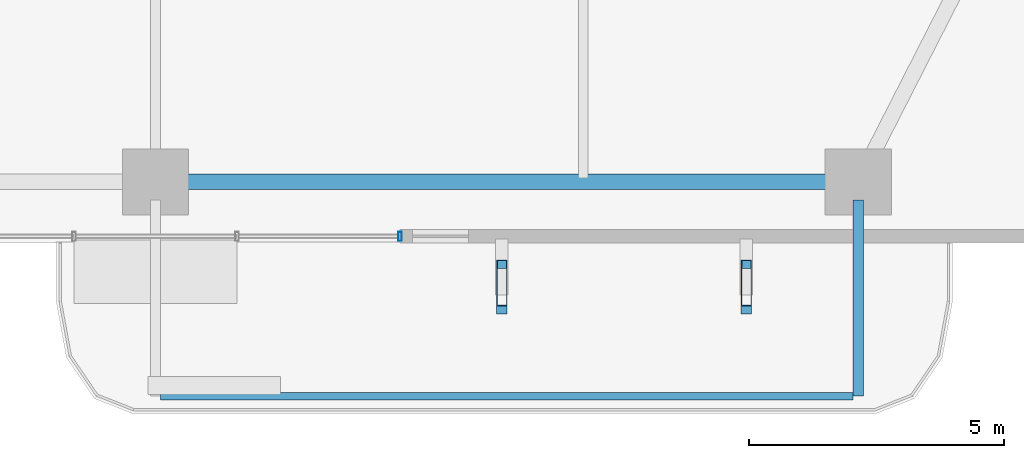
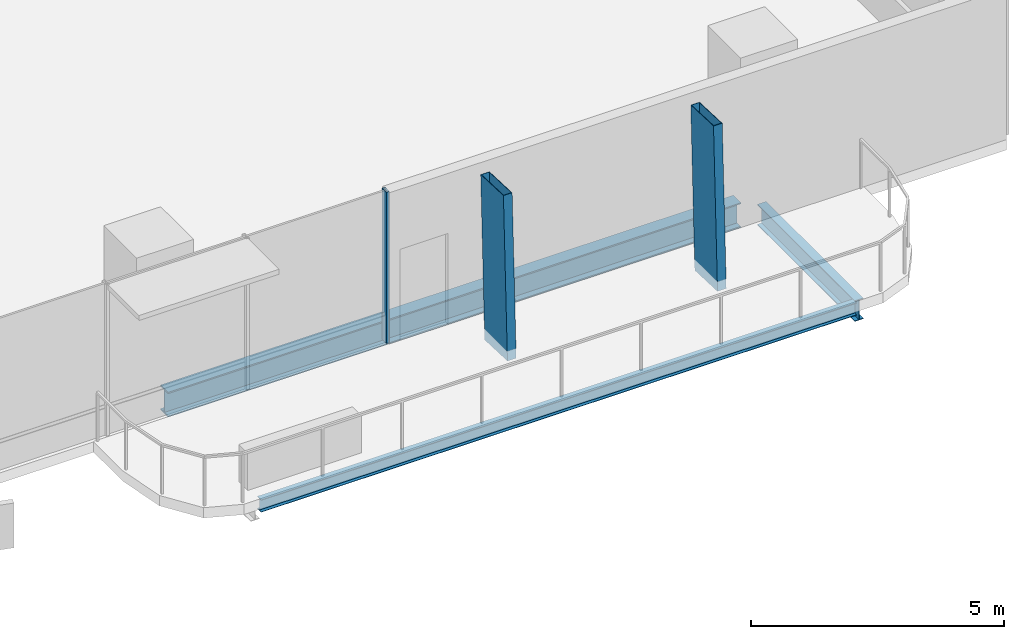
# One storey, part 6 of 24: 3 beams, 3 members, 1 element without a shape of its own.
"""IFC4 building model written with IfcOpenShell, lengths in metres."""

from ifc_helpers import new_model, si_unit, direction, frame, origin, origin_2d, place, context, subcontext, project, spatial, hollow_rectangle, i_section, extrude, material, layer, layer_set, material_profile, profile_set, type_object, element, aggregate, save


model = new_model("IFC4")

# Units and contexts
model_context = context("Model", 3, precision=1e-05, world=origin(), true_north=direction((0.0, 1.0)))
body_context = subcontext(model_context, "Body", "Model", "MODEL_VIEW")
ifc_project = project(units=[si_unit("LENGTHUNIT", "METRE"), si_unit("AREAUNIT", "SQUARE_METRE"), si_unit("VOLUMEUNIT", "CUBIC_METRE"), si_unit("PLANEANGLEUNIT", "RADIAN"), si_unit("MASSUNIT", "GRAM", prefix="KILO")], contexts=[model_context])

# Site, building, storey
site_placement = place(None, origin())
site = spatial("IfcSite", under=ifc_project, at=site_placement, CompositionType="ELEMENT")
building_placement = place(site_placement, origin())
building = spatial("IfcBuilding", under=site, at=building_placement, Name="Belovzor Exchange Tower", CompositionType="ELEMENT")
storey_placement = place(building_placement, frame((0.0, 0.0, 117.300048828125)))
storey = spatial("IfcBuildingStorey", under=building, at=storey_placement, Name="L28", CompositionType="ELEMENT", Elevation=117.300048828125)

# Beams
ifc_material_1 = material(Name="Steel S355", Category="steel")
ifc_material_profile_1 = material_profile(ifc_material_1, i_section(OverallWidth=0.199951171875, OverallDepth=0.5, WebThickness=0.01025390625, FlangeThickness=0.01611328125, at=origin_2d()))
ifc_profile_set_1 = profile_set([ifc_material_profile_1], Name="Steel S355")
beam_type_1 = type_object("IfcBeamType", Name="Planted Balcony Cantilever Beam IPE 500", PredefinedType="BEAM", material=ifc_profile_set_1)
beam_1_placement = place(storey_placement, frame((42.60009765625, 3.5419921875, -0.5), z_axis=(0.0, -1.0, 0.0), x_axis=(1.0, 0.0, 0.0)))
element("IfcBeam", 1, at=beam_1_placement, inside=storey, type_object=beam_type_1, Name="BC-500 Planted Balcony Cantilever Beam IPE 500", PredefinedType="BEAM", context=body_context, shape_type="SweptSolid", body=[
    extrude(i_section(OverallWidth=0.199951171875, OverallDepth=0.5, WebThickness=0.01025390625, FlangeThickness=0.01611328125, at=origin_2d()), origin(), (0.0, 0.0, 1.0), 3.85009765625),
])
ifc_material_2 = material(Name="Steel S355", Category="steel")
ifc_material_profile_2 = material_profile(ifc_material_2, i_section(OverallWidth=0.14990234375, OverallDepth=0.300048828125, WebThickness=0.007080078125, FlangeThickness=0.0107421875, at=origin_2d()))
ifc_profile_set_2 = profile_set([ifc_material_profile_2], Name="Steel S355")
beam_type_2 = type_object("IfcBeamType", Name="Planted Balcony Fascia Edge Beam IPE 300", PredefinedType="BEAM", material=ifc_profile_set_2)
beam_2_placement = place(storey_placement, frame((28.89990234375, -0.30810546875, -0.400146484375), z_axis=(1.0, 0.0, 0.0), x_axis=(0.0, 1.0, 0.0)))
element("IfcBeam", 2, at=beam_2_placement, inside=storey, type_object=beam_type_2, Name="BC-300 Planted Balcony Fascia Edge Beam IPE 300", PredefinedType="BEAM", context=body_context, shape_type="SweptSolid", body=[
    extrude(i_section(OverallWidth=0.14990234375, OverallDepth=0.300048828125, WebThickness=0.007080078125, FlangeThickness=0.0107421875, at=origin_2d()), origin(), (0.0, 0.0, 1.0), 13.60009765625),
])

# Members
ifc_material_3 = material(Name="Extruded Architectural Terracotta on Steel S355 Carrier", Category="masonry")
ifc_material_profile_3 = material_profile(ifc_material_3, hollow_rectangle(XDim=0.199951171875, YDim=0.89990234375, WallThickness=0.011962890625, at=origin_2d()))
ifc_profile_set_3 = profile_set([ifc_material_profile_3], Name="Extruded Architectural Terracotta on Steel S355 Carrier")
member_type_1 = type_object("IfcMemberType", Name="Sweeping Terracotta Baguette Fin Assembly 1250", PredefinedType="USERDEFINED", material=ifc_profile_set_3)
for number, where, z_axis, x_axis, name in (
    (3, (35.60009765625, 1.758056640625, -0.25), (0.0, 0.040719923662, 0.999170599956), (-1.0, 0.0, 0.0), "FIN-TC125 Terracotta Facade Fin L28 S3"),
    (4, (40.39990234375, 1.758056640625, -0.25), (0.0, 0.040719923662, 0.999170599956), (-1.0, 0.0, 0.0), "FIN-TC125 Terracotta Facade Fin L28 S4"),
):
    element("IfcMember", number, at=place(storey_placement, frame(where, z_axis=z_axis, x_axis=x_axis)), inside=storey, type_object=member_type_1, Name=name, ObjectType="FIN", PredefinedType="USERDEFINED", context=body_context, shape_type="SweptSolid", body=[
        extrude(hollow_rectangle(XDim=0.199951171875, YDim=0.89990234375, WallThickness=0.011962890625, at=origin_2d()), origin(), (0.0, 0.0, 1.0), 3.903076171875),
    ])

# Curtain wall, member
ifc_material_4 = material(Name="Anodised Aluminium Framing", Category="aluminium")
ifc_layer = layer(ifc_material_4, 0.179931640625)
ifc_layer_set = layer_set([ifc_layer], Name="Anodised Aluminium Framing")
curtain_wall_type = type_object("IfcCurtainWallType", Name="Recessed Loggia Low-Iron Triple-Glazed Curtain Wall", PredefinedType="NOTDEFINED", material=ifc_layer_set)
curtain_wall_placement = place(storey_placement, origin())
curtain_wall = element("IfcCurtainWall", 5, at=curtain_wall_placement, inside=storey, type_object=curtain_wall_type, Name="CW3 Recessed Loggia Low-Iron Triple-Glazed Curtain Wall L28", PredefinedType="NOTDEFINED")
ifc_material_5 = material(Name="Steel S355", Category="steel")
ifc_material_profile_4 = material_profile(ifc_material_5, hollow_rectangle(XDim=0.074951171875, YDim=0.179931640625, WallThickness=0.0048828125, at=origin_2d()))
ifc_profile_set_4 = profile_set([ifc_material_profile_4], Name="Steel S355")
member_type_2 = type_object("IfcMemberType", Name="Thermally Broken Curtain Wall Mullion 180x75", PredefinedType="MULLION", material=ifc_profile_set_4)
member_placement = place(storey_placement, frame((33.60009765625, 2.830078125, 0.0), z_axis=(0.0, 0.0, 1.0), x_axis=(-1.0, 0.0, 0.0)))
member = element("IfcMember", 6, at=member_placement, type_object=member_type_2, Name="CW-M180 Curtain Wall Mullion 1", PredefinedType="MULLION", context=body_context, shape_type="SweptSolid", body=[
    extrude(hollow_rectangle(XDim=0.074951171875, YDim=0.179931640625, WallThickness=0.0048828125, at=origin_2d()), origin(), (0.0, 0.0, 1.0), 3.64990234375),
])
aggregate(curtain_wall, [member])

# Beam
ifc_material_6 = material(Name="Steel S355", Category="steel")
ifc_material_profile_5 = material_profile(ifc_material_6, i_section(OverallWidth=0.300048828125, OverallDepth=0.60009765625, WebThickness=0.015380859375, FlangeThickness=0.030029296875, at=origin_2d()))
ifc_profile_set_5 = profile_set([ifc_material_profile_5], Name="Steel S355")
beam_type_3 = type_object("IfcBeamType", Name="Zone 2 Primary Perimeter Girder HEB 600", PredefinedType="BEAM", material=ifc_profile_set_5)
beam_3_placement = place(storey_placement, frame((29.157958984375, 3.89990234375, -0.550048828125), z_axis=(1.0, 0.0, 0.0), x_axis=(0.0, 1.0, 0.0)))
element("IfcBeam", 7, at=beam_3_placement, inside=storey, type_object=beam_type_3, Name="FG-Z2 Zone 2 Primary Perimeter Girder HEB 600", PredefinedType="BEAM", context=body_context, shape_type="SweptSolid", body=[
    extrude(i_section(OverallWidth=0.300048828125, OverallDepth=0.60009765625, WebThickness=0.015380859375, FlangeThickness=0.030029296875, at=origin_2d()), origin(), (0.0, 0.0, 1.0), 13.083984375),
])

save(model, "model.ifc")
